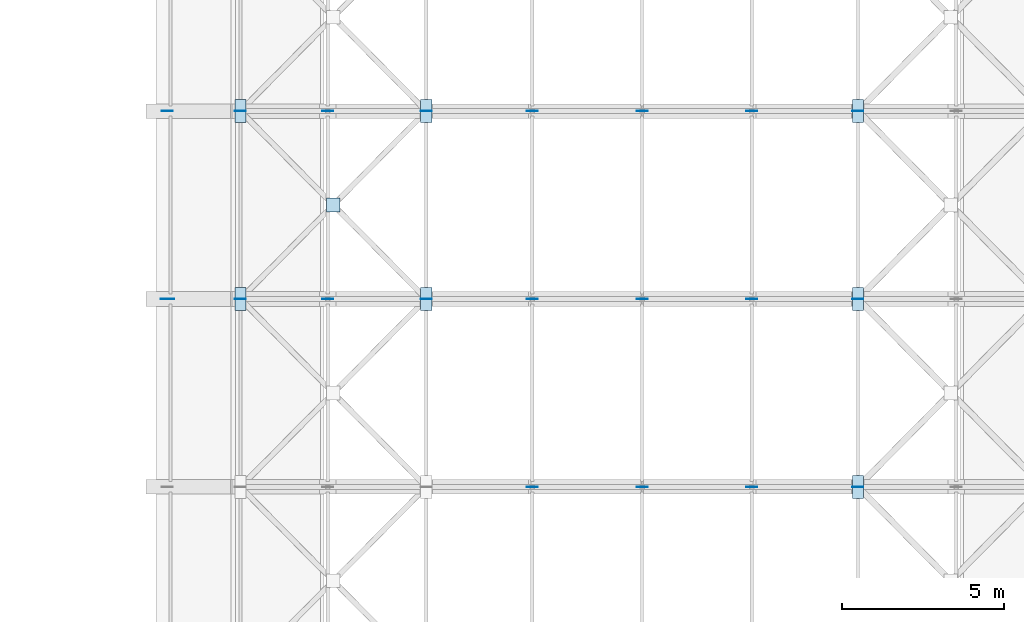
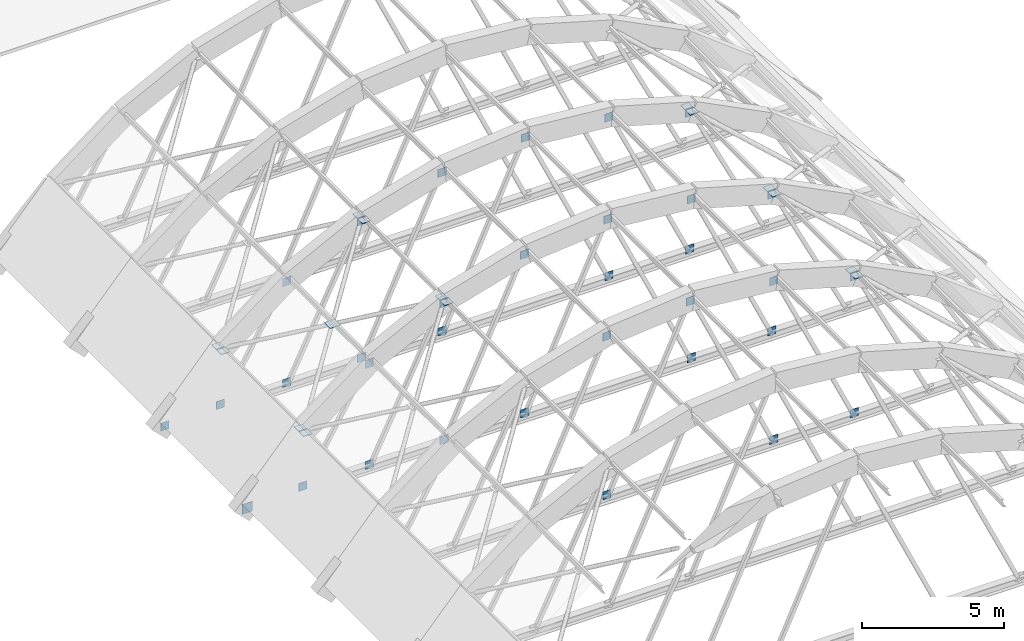
# One storey, part 35 of 81: 48 plates.
"""IFC4 building model written with IfcOpenShell, lengths in metres."""

from ifc_helpers import new_model, si_unit, direction, frame, origin, origin_2d, place, context, subcontext, project, spatial, rectangle, extrude, material, layer, layer_set, type_object, element, save


model = new_model("IFC4")

# Units and contexts
model_context = context("Model", 3, precision=1e-05, world=origin(), true_north=direction((0.0, 1.0)))
body_context = subcontext(model_context, "Body", "Model", "MODEL_VIEW")
ifc_project = project(units=[si_unit("LENGTHUNIT", "METRE"), si_unit("AREAUNIT", "SQUARE_METRE"), si_unit("VOLUMEUNIT", "CUBIC_METRE"), si_unit("PLANEANGLEUNIT", "RADIAN"), si_unit("MASSUNIT", "GRAM", prefix="KILO")], contexts=[model_context])

# Site, building, storey
site_placement = place(None, origin())
site = spatial("IfcSite", under=ifc_project, at=site_placement, CompositionType="ELEMENT")
building_placement = place(site_placement, origin())
building = spatial("IfcBuilding", under=site, at=building_placement, Name="Tanwirah Colonnade Gardens", CompositionType="ELEMENT")
storey_placement = place(building_placement, frame((0.0, 0.0, 8.840087890625)))
storey = spatial("IfcBuildingStorey", under=building, at=storey_placement, Name="L02", CompositionType="ELEMENT", Elevation=8.840087890625)

# Plates
ifc_material = material(Name="Steel S355", Category="steel")
ifc_layer_1 = layer(ifc_material, 0.02001953125)
ifc_layer_set_1 = layer_set([ifc_layer_1], Name="Steel S355")
plate_type_1 = type_object("IfcPlateType", Name="PLT-GUS20", PredefinedType="USERDEFINED", material=ifc_layer_set_1)
for number, where, z_axis, x_axis, name in (
    (1, (89.610107421875, 57.199951171875, 6.5458984375), (0.0, 0.0, 1.0), (1.0, 0.0, 0.0), "Vault Web Upper Node Gusset Plate 4.4"),
    (2, (89.610107421875, 57.199951171875, -0.27001953125), (0.0, 0.0, 1.0), (1.0, 0.0, 0.0), "Vault Web Lower Node Gusset Plate 4.5"),
    (3, (93.0, 57.199951171875, 6.86474609375), (0.0, 0.0, 1.0), (1.0, 0.0, 0.0), "Vault Web Upper Node Gusset Plate 4.5"),
    (4, (96.389892578125, 57.199951171875, -0.27001953125), (0.0, 0.0, 1.0), (1.0, 0.0, 0.0), "Vault Web Lower Node Gusset Plate 4.6"),
    (5, (99.660888671875, 57.199951171875, -0.27001953125), (0.0, 0.0, 1.0), (1.0, 0.0, 0.0), "Vault Web Lower Node Gusset Plate 4.7"),
    (6, (96.389892578125, 57.199951171875, 6.5458984375), (0.0, 0.0, 1.0), (1.0, 0.0, 0.0), "Vault Web Upper Node Gusset Plate 4.7"),
    (7, (99.660888671875, 57.199951171875, 5.6005859375), (0.0, 0.0, 1.0), (1.0, 0.0, 0.0), "Vault Web Upper Node Gusset Plate 4.8"),
    (8, (80.604736328125, 63.0, -0.27001953125), (0.0, 0.0, 1.0), (1.0, 0.0, 0.0), "Vault Web Lower Node Gusset Plate 5.2"),
    (9, (83.3017578125, 63.0, 4.0615234375), (0.0, 0.0, 1.0), (1.0, 0.0, 0.0), "Vault Web Upper Node Gusset Plate 5.2"),
    (10, (83.3017578125, 63.0, -0.27001953125), (0.0, 0.0, 1.0), (1.0, 0.0, 0.0), "Vault Web Lower Node Gusset Plate 5.3"),
    (11, (86.339111328125, 63.0, 5.6005859375), (0.0, 0.0, 1.0), (1.0, 0.0, 0.0), "Vault Web Upper Node Gusset Plate 5.3"),
    (12, (86.339111328125, 63.0, -0.27001953125), (0.0, 0.0, 1.0), (1.0, 0.0, 0.0), "Vault Web Lower Node Gusset Plate 5.4"),
    (13, (89.610107421875, 63.0, 6.5458984375), (0.0, 0.0, 1.0), (1.0, 0.0, 0.0), "Vault Web Upper Node Gusset Plate 5.4"),
    (14, (89.610107421875, 63.0, -0.27001953125), (0.0, 0.0, 1.0), (1.0, 0.0, 0.0), "Vault Web Lower Node Gusset Plate 5.5"),
    (15, (93.0, 63.0, 6.86474609375), (0.0, 0.0, 1.0), (1.0, 0.0, 0.0), "Vault Web Upper Node Gusset Plate 5.5"),
    (16, (96.389892578125, 63.0, -0.27001953125), (0.0, 0.0, 1.0), (1.0, 0.0, 0.0), "Vault Web Lower Node Gusset Plate 5.6"),
    (17, (99.660888671875, 63.0, -0.27001953125), (0.0, 0.0, 1.0), (1.0, 0.0, 0.0), "Vault Web Lower Node Gusset Plate 5.7"),
    (18, (96.389892578125, 63.0, 6.5458984375), (0.0, 0.0, 1.0), (1.0, 0.0, 0.0), "Vault Web Upper Node Gusset Plate 5.7"),
    (19, (99.660888671875, 63.0, 5.6005859375), (0.0, 0.0, 1.0), (1.0, 0.0, 0.0), "Vault Web Upper Node Gusset Plate 5.8"),
    (20, (80.604736328125, 68.800048828125, -0.27001953125), (0.0, 0.0, 1.0), (1.0, 0.0, 0.0), "Vault Web Lower Node Gusset Plate 6.2"),
    (21, (83.3017578125, 68.800048828125, 4.0615234375), (0.0, 0.0, 1.0), (1.0, 0.0, 0.0), "Vault Web Upper Node Gusset Plate 6.2"),
    (22, (83.3017578125, 68.800048828125, -0.27001953125), (0.0, 0.0, 1.0), (1.0, 0.0, 0.0), "Vault Web Lower Node Gusset Plate 6.3"),
    (23, (86.339111328125, 68.800048828125, 5.6005859375), (0.0, 0.0, 1.0), (1.0, 0.0, 0.0), "Vault Web Upper Node Gusset Plate 6.3"),
    (24, (86.339111328125, 68.800048828125, -0.27001953125), (0.0, 0.0, 1.0), (1.0, 0.0, 0.0), "Vault Web Lower Node Gusset Plate 6.4"),
    (25, (89.610107421875, 68.800048828125, 6.5458984375), (0.0, 0.0, 1.0), (1.0, 0.0, 0.0), "Vault Web Upper Node Gusset Plate 6.4"),
    (26, (89.610107421875, 68.800048828125, -0.27001953125), (0.0, 0.0, 1.0), (1.0, 0.0, 0.0), "Vault Web Lower Node Gusset Plate 6.5"),
    (27, (93.0, 68.800048828125, 6.86474609375), (0.0, 0.0, 1.0), (1.0, 0.0, 0.0), "Vault Web Upper Node Gusset Plate 6.5"),
    (28, (96.389892578125, 68.800048828125, -0.27001953125), (0.0, 0.0, 1.0), (1.0, 0.0, 0.0), "Vault Web Lower Node Gusset Plate 6.6"),
    (29, (99.660888671875, 68.800048828125, -0.27001953125), (0.0, 0.0, 1.0), (1.0, 0.0, 0.0), "Vault Web Lower Node Gusset Plate 6.7"),
    (30, (96.389892578125, 68.800048828125, 6.5458984375), (0.0, 0.0, 1.0), (1.0, 0.0, 0.0), "Vault Web Upper Node Gusset Plate 6.7"),
    (31, (99.660888671875, 68.800048828125, 5.6005859375), (0.0, 0.0, 1.0), (1.0, 0.0, 0.0), "Vault Web Upper Node Gusset Plate 6.8"),
    (32, (78.35009765625, 68.800048828125, -0.41015625), (0.0, 0.0, 1.0), (1.0, 0.0, 0.0), "Vault Arch Gusset Plate 6-W"),
):
    element("IfcPlate", number, at=place(storey_placement, frame(where, z_axis=z_axis, x_axis=x_axis)), inside=storey, type_object=plate_type_1, Name=name, ObjectType="GUSSET_PLATE", PredefinedType="USERDEFINED", context=body_context, shape_type="SweptSolid", body=[
        extrude(rectangle(XDim=0.340087890625, YDim=0.02001953125, at=origin_2d()), origin(), (0.0, 0.0, 1.0), 0.340087890625),
    ])
for number, where, z_axis, x_axis, name in (
    (33, (99.660888671875, 57.02001953125, 5.900634765625), (0.0, 0.0, 1.0), (1.0, 0.0, 0.0), "Vault Brace End Gusset Plate 3.4B"),
    (34, (86.339111328125, 62.820068359375, 5.900634765625), (0.0, 0.0, 1.0), (1.0, 0.0, 0.0), "Vault Brace End Gusset Plate 4.1B"),
    (35, (80.604736328125, 62.820068359375, 2.283447265625), (0.0, 0.0, 1.0), (1.0, 0.0, 0.0), "Vault Brace End Gusset Plate 4.2B"),
    (36, (99.660888671875, 57.3798828125, 5.900634765625), (0.0, 0.0, 1.0), (1.0, 0.0, 0.0), "Vault Brace End Gusset Plate 4.3A"),
    (37, (99.660888671875, 62.820068359375, 5.900634765625), (0.0, 0.0, 1.0), (1.0, 0.0, 0.0), "Vault Brace End Gusset Plate 4.4B"),
    (38, (80.604736328125, 63.179931640625, 2.283447265625), (0.0, 0.0, 1.0), (1.0, 0.0, 0.0), "Vault Brace End Gusset Plate 5.1A"),
    (39, (86.339111328125, 68.6201171875, 5.900634765625), (0.0, 0.0, 1.0), (1.0, 0.0, 0.0), "Vault Brace End Gusset Plate 5.1B"),
    (40, (86.339111328125, 63.179931640625, 5.900634765625), (0.0, 0.0, 1.0), (1.0, 0.0, 0.0), "Vault Brace End Gusset Plate 5.2A"),
    (41, (80.604736328125, 68.6201171875, 2.283447265625), (0.0, 0.0, 1.0), (1.0, 0.0, 0.0), "Vault Brace End Gusset Plate 5.2B"),
    (42, (99.660888671875, 63.179931640625, 5.900634765625), (0.0, 0.0, 1.0), (1.0, 0.0, 0.0), "Vault Brace End Gusset Plate 5.3A"),
    (43, (99.660888671875, 68.6201171875, 5.900634765625), (0.0, 0.0, 1.0), (1.0, 0.0, 0.0), "Vault Brace End Gusset Plate 5.4B"),
    (44, (80.604736328125, 68.97998046875, 2.283447265625), (0.0, 0.0, 1.0), (1.0, 0.0, 0.0), "Vault Brace End Gusset Plate 6.1A"),
    (45, (86.339111328125, 68.97998046875, 5.900634765625), (0.0, 0.0, 1.0), (1.0, 0.0, 0.0), "Vault Brace End Gusset Plate 6.2A"),
    (46, (99.660888671875, 68.97998046875, 5.900634765625), (0.0, 0.0, 1.0), (1.0, 0.0, 0.0), "Vault Brace End Gusset Plate 6.3A"),
):
    element("IfcPlate", number, at=place(storey_placement, frame(where, z_axis=z_axis, x_axis=x_axis)), inside=storey, type_object=plate_type_1, Name=name, ObjectType="GUSSET_PLATE", PredefinedType="USERDEFINED", context=body_context, shape_type="SweptSolid", body=[
        extrude(rectangle(XDim=0.340087890625, YDim=0.340087890625, at=origin_2d()), origin(), (0.0, 0.0, 1.0), 0.02001953125),
    ])
ifc_layer_2 = layer(ifc_material, 0.02490234375)
ifc_layer_set_2 = layer_set([ifc_layer_2], Name="Steel S355")
plate_type_2 = type_object("IfcPlateType", Name="PLT-GUS25", PredefinedType="USERDEFINED", material=ifc_layer_set_2)
plate_1_placement = place(storey_placement, frame((78.35009765625, 63.0, -0.449951171875), z_axis=(0.0, 0.0, 1.0), x_axis=(1.0, 0.0, 0.0)))
element("IfcPlate", 47, at=plate_1_placement, inside=storey, type_object=plate_type_2, Name="Vault Arch Gusset Plate 5-W", ObjectType="GUSSET_PLATE", PredefinedType="USERDEFINED", context=body_context, shape_type="SweptSolid", body=[
    extrude(rectangle(XDim=0.419921875, YDim=0.02490234375, at=origin_2d()), origin(), (0.0, 0.0, 1.0), 0.419921875),
])
plate_2_placement = place(storey_placement, frame((83.471923828125, 65.89990234375, 4.089599609375), z_axis=(0.0, 0.0, 1.0), x_axis=(1.0, 0.0, 0.0)))
element("IfcPlate", 48, at=plate_2_placement, inside=storey, type_object=plate_type_2, Name="Vault X-Brace Crossing Gusset Plate 5-W", ObjectType="GUSSET_PLATE", PredefinedType="USERDEFINED", context=body_context, shape_type="SweptSolid", body=[
    extrude(rectangle(XDim=0.419921875, YDim=0.419921875, at=origin_2d()), origin(), (0.0, 0.0, 1.0), 0.02490234375),
])

save(model, "model.ifc")
